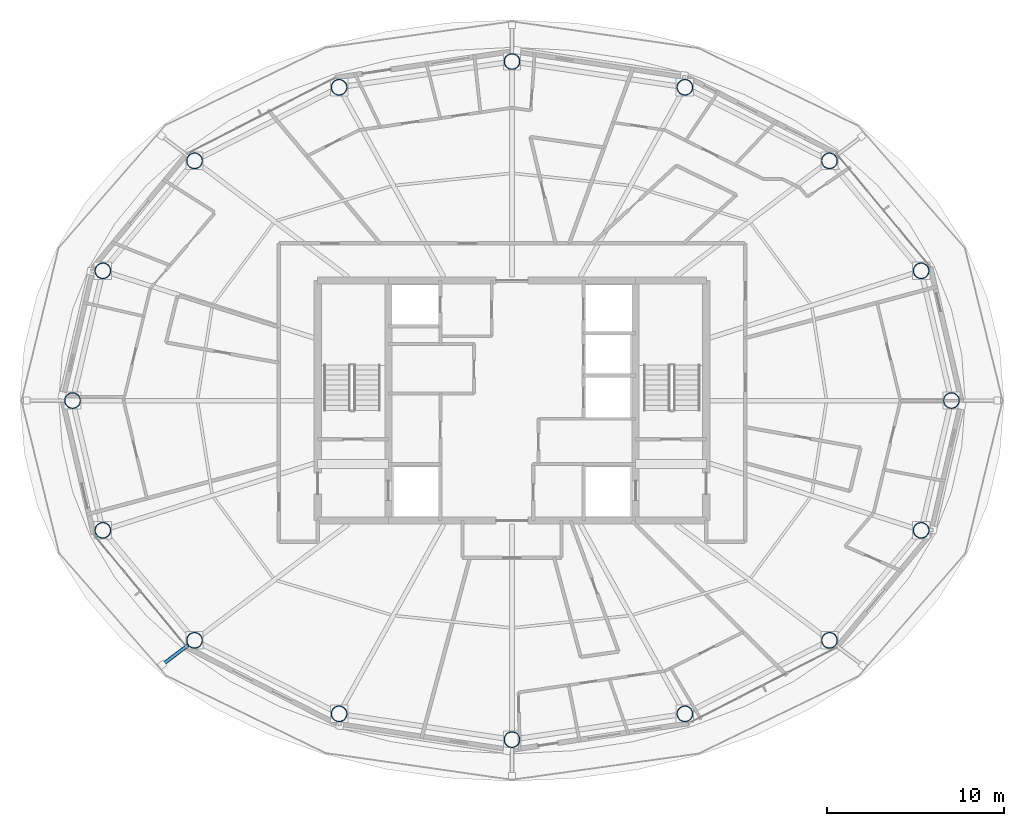
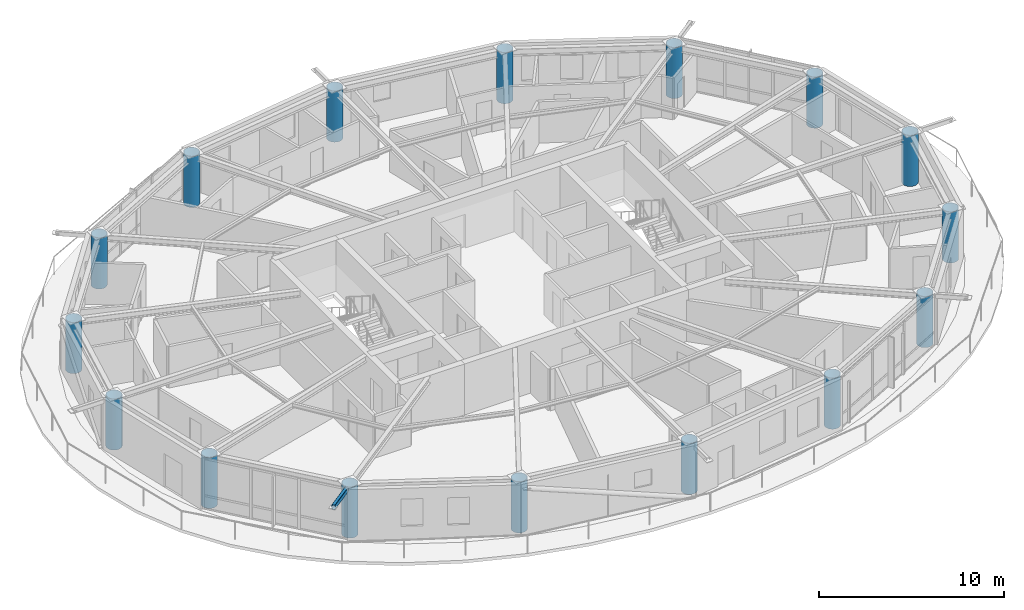
# One storey, part 1 of 23: 16 columns, 1 member.
"""IFC4 building model written with IfcOpenShell, lengths in metres."""

from ifc_helpers import new_model, si_unit, direction, frame, origin, origin_2d, place, context, subcontext, project, spatial, hollow_rectangle, hollow_circle, extrude, material, material_profile, profile_set, type_object, element, save


model = new_model("IFC4")

# Units and contexts
model_context = context("Model", 3, precision=1e-05, world=origin(), true_north=direction((0.0, 1.0)))
body_context = subcontext(model_context, "Body", "Model", "MODEL_VIEW")
ifc_project = project(units=[si_unit("LENGTHUNIT", "METRE"), si_unit("AREAUNIT", "SQUARE_METRE"), si_unit("VOLUMEUNIT", "CUBIC_METRE"), si_unit("PLANEANGLEUNIT", "RADIAN"), si_unit("MASSUNIT", "GRAM", prefix="KILO")], contexts=[model_context])

# Site, building, storey
site_placement = place(None, origin())
site = spatial("IfcSite", under=ifc_project, at=site_placement, CompositionType="ELEMENT")
building_placement = place(site_placement, origin())
building = spatial("IfcBuilding", under=site, at=building_placement, Name="Sarneth Arch Tower", CompositionType="ELEMENT")
storey_placement = place(building_placement, frame((0.0, 0.0, 262.199951171875)))
storey = spatial("IfcBuildingStorey", under=building, at=storey_placement, Name="L67", CompositionType="ELEMENT", Elevation=262.199951171875)

# Columns
ifc_material_1 = material(Name="Steel S355", Category="steel")
ifc_material_profile_1 = material_profile(ifc_material_1, hollow_circle(Radius=0.449951171875, WallThickness=0.02490234375, at=origin_2d()), Name="CHS900x25")
ifc_profile_set_1 = profile_set([ifc_material_profile_1], Name="Steel S355")
column_type = type_object("IfcColumnType", Name="COL-MEGA-900", PredefinedType="COLUMN", material=ifc_profile_set_1)
for number, where, z_axis, x_axis, name in (
    (1, (72.88330078125, 42.0, 0.0), (0.0, 0.0, 1.0), (1.0, 0.0, 0.0), "L67 Perimeter mega-column M01"),
    (2, (71.1689453125, 49.347412109375, 0.0), (0.0, 0.0, 1.0), (1.0, 0.0, 0.0), "L67 Perimeter mega-column M02"),
    (3, (65.975341796875, 55.576416015625, 0.0), (0.0, 0.0, 1.0), (1.0, 0.0, 0.0), "L67 Perimeter mega-column M03"),
    (4, (57.790771484375, 59.738525390625, 0.0), (0.0, 0.0, 1.0), (1.0, 0.0, 0.0), "L67 Perimeter mega-column M04"),
    (5, (48.0, 61.199951171875, 0.0), (0.0, 0.0, 1.0), (1.0, 0.0, 0.0), "L67 Perimeter mega-column M05"),
    (6, (38.209228515625, 59.738525390625, 0.0), (0.0, 0.0, 1.0), (1.0, 0.0, 0.0), "L67 Perimeter mega-column M06"),
    (7, (30.024658203125, 55.576416015625, 0.0), (0.0, 0.0, 1.0), (1.0, 0.0, 0.0), "L67 Perimeter mega-column M07"),
    (8, (24.8310546875, 49.347412109375, 0.0), (0.0, 0.0, 1.0), (1.0, 0.0, 0.0), "L67 Perimeter mega-column M08"),
    (9, (23.11669921875, 42.0, 0.0), (0.0, 0.0, 1.0), (1.0, 0.0, 0.0), "L67 Perimeter mega-column M09"),
    (10, (24.8310546875, 34.652587890625, 0.0), (0.0, 0.0, 1.0), (1.0, 0.0, 0.0), "L67 Perimeter mega-column M10"),
    (11, (30.024658203125, 28.423583984375, 0.0), (0.0, 0.0, 1.0), (1.0, 0.0, 0.0), "L67 Perimeter mega-column M11"),
    (12, (38.209228515625, 24.261474609375, 0.0), (0.0, 0.0, 1.0), (1.0, 0.0, 0.0), "L67 Perimeter mega-column M12"),
    (13, (48.0, 22.800048828125, 0.0), (0.0, 0.0, 1.0), (1.0, 0.0, 0.0), "L67 Perimeter mega-column M13"),
    (14, (57.790771484375, 24.261474609375, 0.0), (0.0, 0.0, 1.0), (1.0, 0.0, 0.0), "L67 Perimeter mega-column M14"),
    (15, (65.975341796875, 28.423583984375, 0.0), (0.0, 0.0, 1.0), (1.0, 0.0, 0.0), "L67 Perimeter mega-column M15"),
    (16, (71.1689453125, 34.652587890625, 0.0), (0.0, 0.0, 1.0), (1.0, 0.0, 0.0), "L67 Perimeter mega-column M16"),
):
    element("IfcColumn", number, at=place(storey_placement, frame(where, z_axis=z_axis, x_axis=x_axis)), inside=storey, type_object=column_type, Name=name, PredefinedType="COLUMN", context=body_context, shape_type="SweptSolid", body=[
        extrude(hollow_circle(Radius=0.449951171875, WallThickness=0.02490234375, at=origin_2d()), origin(), (0.0, 0.0, 1.0), 3.3701171875),
    ])

# Member
ifc_material_2 = material(Name="Steel S355", Category="steel")
ifc_material_profile_2 = material_profile(ifc_material_2, hollow_rectangle(XDim=0.199951171875, YDim=0.300048828125, WallThickness=0.012451171875, InnerFilletRadius=0.018798828125, OuterFilletRadius=0.03125, at=origin_2d()), Name="RHS300x200x12.5")
ifc_profile_set_2 = profile_set([ifc_material_profile_2], Name="Steel S355")
member_type = type_object("IfcMemberType", Name="MEM-CANT-STRUT", PredefinedType="STRUT", material=ifc_profile_set_2)
member_placement = place(storey_placement, frame((29.665771484375, 28.15234375, 3.2099609375), z_axis=(-0.797980372802, -0.602683436493, 0.0), x_axis=(0.602683436493, -0.797980372802, 0.0)))
element("IfcMember", 17, at=member_placement, inside=storey, type_object=member_type, Name="L67 Balcony cantilever bracket 11", PredefinedType="STRUT", context=body_context, shape_type="SweptSolid", body=[
    extrude(hollow_rectangle(XDim=0.199951171875, YDim=0.300048828125, WallThickness=0.012451171875, InnerFilletRadius=0.018798828125, OuterFilletRadius=0.03125, at=origin_2d()), origin(), (0.0, 0.0, 1.0), 1.846435546875),
])

save(model, "model.ifc")
